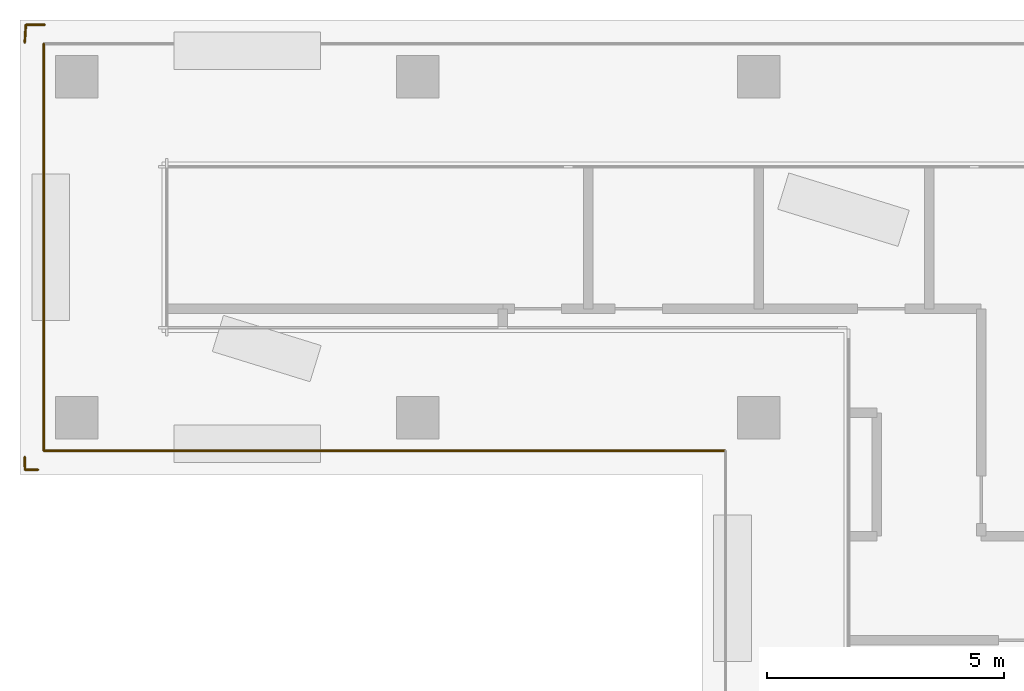
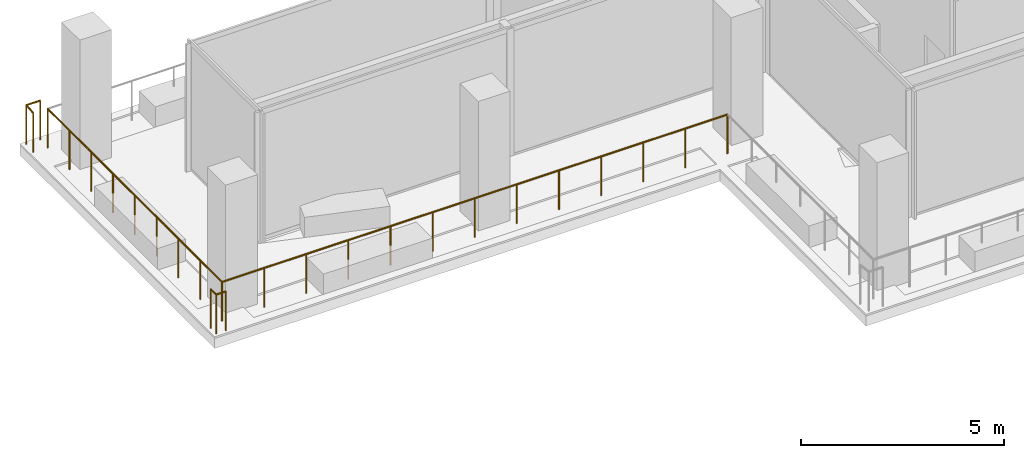
# One storey, part 15 of 19: 6 railings.
"""IFC4 building model written with IfcOpenShell, lengths in metres."""

from ifc_helpers import new_model, si_unit, direction, frame, origin, origin_2d, place, context, subcontext, project, spatial, circle, extrude, material, type_object, element, save


model = new_model("IFC4")

# Units and contexts
model_context = context("Model", 3, precision=1e-05, world=origin(), true_north=direction((0.0, 1.0)))
body_context = subcontext(model_context, "Body", "Model", "MODEL_VIEW")
ifc_project = project(units=[si_unit("LENGTHUNIT", "METRE"), si_unit("AREAUNIT", "SQUARE_METRE"), si_unit("VOLUMEUNIT", "CUBIC_METRE"), si_unit("PLANEANGLEUNIT", "RADIAN"), si_unit("MASSUNIT", "GRAM", prefix="KILO")], contexts=[model_context])

# Site, building, storey
site_placement = place(None, origin())
site = spatial("IfcSite", under=ifc_project, at=site_placement, CompositionType="ELEMENT")
building_placement = place(site_placement, origin())
building = spatial("IfcBuilding", under=site, at=building_placement, Name="Windrow Commons", CompositionType="ELEMENT")
storey_placement = place(building_placement, frame((0.0, 0.0, 185.4)))
storey = spatial("IfcBuildingStorey", under=building, at=storey_placement, Name="L50", CompositionType="ELEMENT", Elevation=185.4)

# Railings
ifc_material = material(Name="Stainless steel S316 balustrade with toughened glass infill", Category="steel")
railing_type = type_object("IfcRailingType", Name="Terrace guard 1200 podium", PredefinedType="BALUSTRADE", material=ifc_material)
railing_1_placement = place(storey_placement, frame((35.3, 64.1, 0.05)))
element("IfcRailing", 1, at=railing_1_placement, inside=storey, type_object=railing_type, Name="Guard TR-L50-1.E7", PredefinedType="BALUSTRADE", context=body_context, shape_type="SweptSolid", body=[
    extrude(circle(Radius=0.025, at=origin_2d()), frame((0.0, 0.0, 1.175), z_axis=(-1.0, 0.0, 0.0), x_axis=(0.0, -1.0, 0.0)), (0.0, 0.0, 1.0), 14.4),
    extrude(circle(Radius=0.02, at=origin_2d()), origin(), (0.0, 0.0, 1.0), 1.15),
    extrude(circle(Radius=0.02, at=origin_2d()), frame((-1.2, 0.0, 0.0)), (0.0, 0.0, 1.0), 1.15),
    extrude(circle(Radius=0.02, at=origin_2d()), frame((-2.4, 0.0, 0.0)), (0.0, 0.0, 1.0), 1.15),
    extrude(circle(Radius=0.02, at=origin_2d()), frame((-3.6, 0.0, 0.0)), (0.0, 0.0, 1.0), 1.15),
    extrude(circle(Radius=0.02, at=origin_2d()), frame((-4.8, 0.0, 0.0)), (0.0, 0.0, 1.0), 1.15),
    extrude(circle(Radius=0.02, at=origin_2d()), frame((-6.0, 0.0, 0.0)), (0.0, 0.0, 1.0), 1.15),
    extrude(circle(Radius=0.02, at=origin_2d()), frame((-7.2, 0.0, 0.0)), (0.0, 0.0, 1.0), 1.15),
    extrude(circle(Radius=0.02, at=origin_2d()), frame((-8.4, 0.0, 0.0)), (0.0, 0.0, 1.0), 1.15),
    extrude(circle(Radius=0.02, at=origin_2d()), frame((-9.6, 0.0, 0.0)), (0.0, 0.0, 1.0), 1.15),
    extrude(circle(Radius=0.02, at=origin_2d()), frame((-10.8, 0.0, 0.0)), (0.0, 0.0, 1.0), 1.15),
    extrude(circle(Radius=0.02, at=origin_2d()), frame((-12.0, 0.0, 0.0)), (0.0, 0.0, 1.0), 1.15),
    extrude(circle(Radius=0.02, at=origin_2d()), frame((-13.2, 0.0, 0.0)), (0.0, 0.0, 1.0), 1.15),
    extrude(circle(Radius=0.02, at=origin_2d()), frame((-14.4, 0.0, 0.0)), (0.0, 0.0, 1.0), 1.15),
])
railing_2_placement = place(storey_placement, frame((20.9, 64.1, 0.05)))
element("IfcRailing", 2, at=railing_2_placement, inside=storey, type_object=railing_type, Name="Guard TR-L50-1.E8", PredefinedType="BALUSTRADE", context=body_context, shape_type="SweptSolid", body=[
    extrude(circle(Radius=0.025, at=origin_2d()), frame((0.0, 0.0, 1.175), z_axis=(0.0, 1.0, 0.0), x_axis=(-1.0, 0.0, 0.0)), (0.0, 0.0, 1.0), 8.6),
    extrude(circle(Radius=0.02, at=origin_2d()), origin(), (0.0, 0.0, 1.0), 1.15),
    extrude(circle(Radius=0.02, at=origin_2d()), frame((0.0, 1.075, 0.0)), (0.0, 0.0, 1.0), 1.15),
    extrude(circle(Radius=0.02, at=origin_2d()), frame((0.0, 2.15, 0.0)), (0.0, 0.0, 1.0), 1.15),
    extrude(circle(Radius=0.02, at=origin_2d()), frame((0.0, 3.225, 0.0)), (0.0, 0.0, 1.0), 1.15),
    extrude(circle(Radius=0.02, at=origin_2d()), frame((0.0, 4.3, 0.0)), (0.0, 0.0, 1.0), 1.15),
    extrude(circle(Radius=0.02, at=origin_2d()), frame((0.0, 5.375, 0.0)), (0.0, 0.0, 1.0), 1.15),
    extrude(circle(Radius=0.02, at=origin_2d()), frame((0.0, 6.45, 0.0)), (0.0, 0.0, 1.0), 1.15),
    extrude(circle(Radius=0.02, at=origin_2d()), frame((0.0, 7.525, 0.0)), (0.0, 0.0, 1.0), 1.15),
    extrude(circle(Radius=0.02, at=origin_2d()), frame((0.0, 8.6, 0.0)), (0.0, 0.0, 1.0), 1.15),
])
railing_3_placement = place(storey_placement, frame((20.5, 72.7225, 0.05)))
element("IfcRailing", 3, at=railing_3_placement, inside=storey, type_object=railing_type, Name="Guard TR-L50-1.C190", PredefinedType="BALUSTRADE", context=body_context, shape_type="SweptSolid", body=[
    extrude(circle(Radius=0.025, at=origin_2d()), frame((0.0, 0.0, 1.175), z_axis=(0.0600240275, 0.9981969325, 0.0), x_axis=(-0.9981969325, 0.0600240275, 0.0)), (0.0, 0.0, 1.0), 0.3782),
    extrude(circle(Radius=0.02, at=origin_2d()), origin(), (0.0, 0.0, 1.0), 1.15),
    extrude(circle(Radius=0.02, at=origin_2d()), frame((0.0227, 0.3775, 0.0)), (0.0, 0.0, 1.0), 1.15),
])
railing_4_placement = place(storey_placement, frame((20.5227, 73.1, 0.05)))
element("IfcRailing", 4, at=railing_4_placement, inside=storey, type_object=railing_type, Name="Guard TR-L50-1.C191", PredefinedType="BALUSTRADE", context=body_context, shape_type="SweptSolid", body=[
    extrude(circle(Radius=0.025, at=origin_2d()), frame((0.0, 0.0, 1.175), z_axis=(1.0, 0.0, 0.0), x_axis=(0.0, 1.0, 0.0)), (0.0, 0.0, 1.0), 0.4001),
    extrude(circle(Radius=0.02, at=origin_2d()), origin(), (0.0, 0.0, 1.0), 1.15),
    extrude(circle(Radius=0.02, at=origin_2d()), frame((0.4001, 0.0, 0.0)), (0.0, 0.0, 1.0), 1.15),
])
railing_5_placement = place(storey_placement, frame((20.7806, 63.7, 0.05)))
element("IfcRailing", 5, at=railing_5_placement, inside=storey, type_object=railing_type, Name="Guard TR-L50-1.C192", PredefinedType="BALUSTRADE", context=body_context, shape_type="SweptSolid", body=[
    extrude(circle(Radius=0.025, at=origin_2d()), frame((0.0, 0.0, 1.175), z_axis=(-1.0, 0.0, 0.0), x_axis=(0.0, -1.0, 0.0)), (0.0, 0.0, 1.0), 0.2751),
    extrude(circle(Radius=0.02, at=origin_2d()), origin(), (0.0, 0.0, 1.0), 1.15),
    extrude(circle(Radius=0.02, at=origin_2d()), frame((-0.2751, 0.0, 0.0)), (0.0, 0.0, 1.0), 1.15),
])
railing_6_placement = place(storey_placement, frame((20.5055, 63.7, 0.05)))
element("IfcRailing", 6, at=railing_6_placement, inside=storey, type_object=railing_type, Name="Guard TR-L50-1.C193", PredefinedType="BALUSTRADE", context=body_context, shape_type="SweptSolid", body=[
    extrude(circle(Radius=0.025, at=origin_2d()), frame((0.0, 0.0, 1.175), z_axis=(-0.0203963496, 0.9997919728, 0.0), x_axis=(-0.9997919728, -0.0203963496, 0.0)), (0.0, 0.0, 1.0), 0.2697),
    extrude(circle(Radius=0.02, at=origin_2d()), origin(), (0.0, 0.0, 1.0), 1.15),
    extrude(circle(Radius=0.02, at=origin_2d()), frame((-0.0055, 0.2696, 0.0)), (0.0, 0.0, 1.0), 1.15),
])

save(model, "model.ifc")
